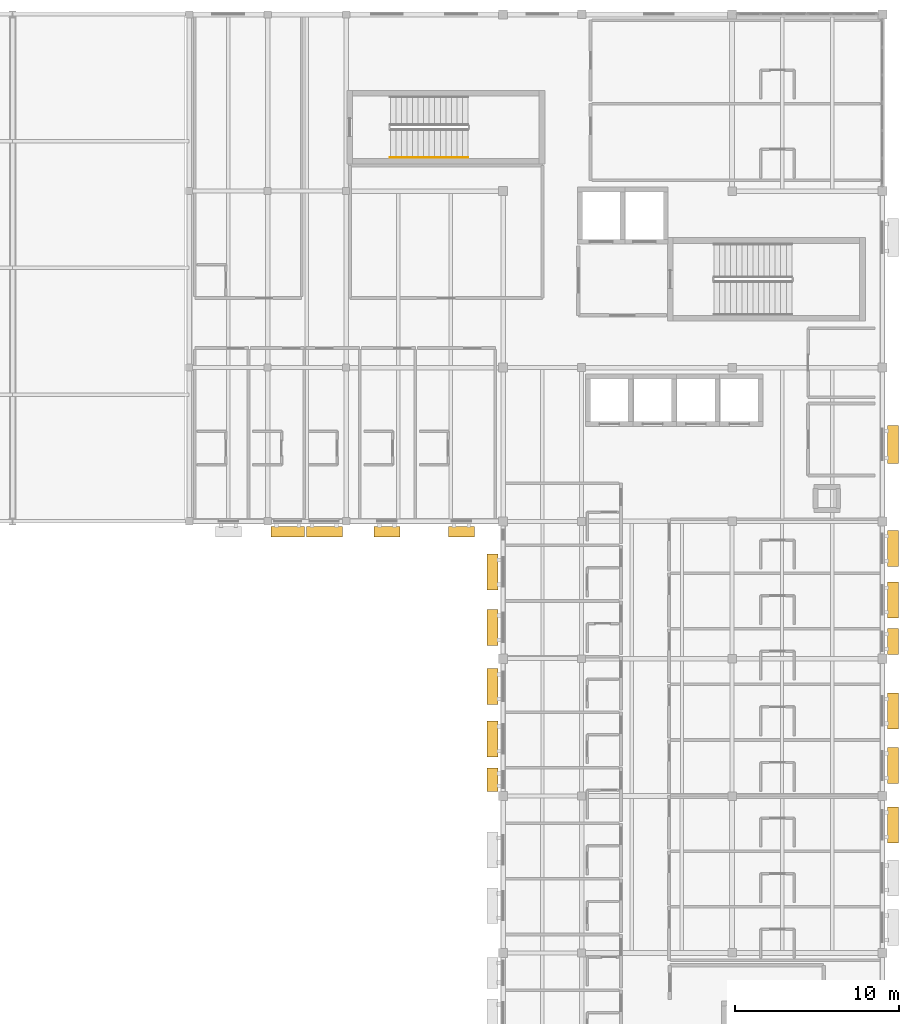
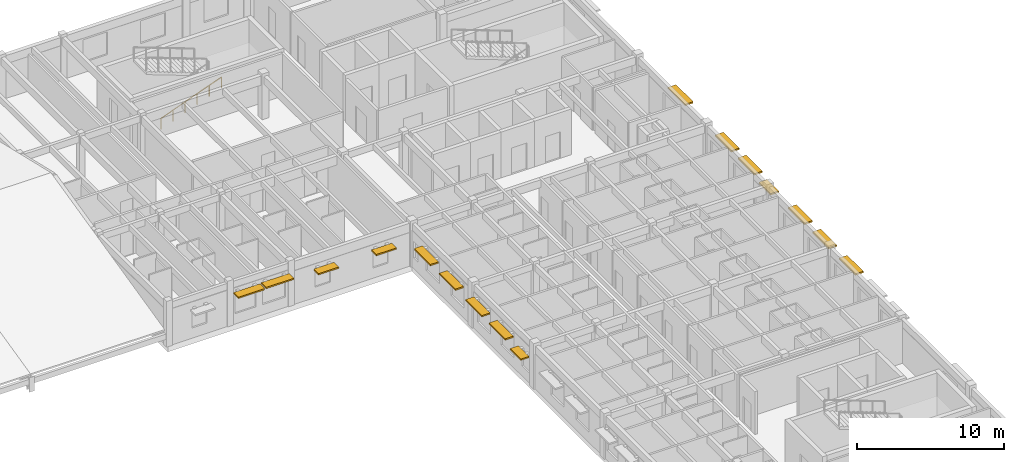
# One storey, part 39 of 40: 16 shading devices, 1 railing.
"""IFC4 building model written with IfcOpenShell, lengths in metres."""

from ifc_helpers import new_model, si_unit, direction, frame, origin, origin_2d, place, context, subcontext, project, spatial, rectangle, circle, extrude, material, type_object, element, save


model = new_model("IFC4")

# Units and contexts
model_context = context("Model", 3, precision=1e-05, world=origin(), true_north=direction((0.0, 1.0)))
body_context = subcontext(model_context, "Body", "Model", "MODEL_VIEW")
ifc_project = project(units=[si_unit("LENGTHUNIT", "METRE"), si_unit("AREAUNIT", "SQUARE_METRE"), si_unit("VOLUMEUNIT", "CUBIC_METRE"), si_unit("PLANEANGLEUNIT", "RADIAN"), si_unit("MASSUNIT", "GRAM", prefix="KILO")], contexts=[model_context])

# Site, building, storey
site_placement = place(None, origin())
site = spatial("IfcSite", under=ifc_project, at=site_placement, CompositionType="ELEMENT")
building_placement = place(site_placement, origin())
building = spatial("IfcBuilding", under=site, at=building_placement, Name="Veldera Park Congress Hotel", CompositionType="ELEMENT")
storey_placement = place(building_placement, frame((0.0, 0.0, 16.199951171875)))
storey = spatial("IfcBuildingStorey", under=building, at=storey_placement, Name="L03", CompositionType="ELEMENT", Elevation=16.199951171875)

# Railing
ifc_material_1 = material(Name="Steel ASTM A992 Gr.50", Category="steel")
railing_type = type_object("IfcRailingType", Name="HRL-920", PredefinedType="HANDRAIL", material=ifc_material_1)
railing_placement = place(storey_placement, frame((53.89990234375, 49.25, 0.126708984375)))
element("IfcRailing", 1, at=railing_placement, inside=storey, type_object=railing_type, Name="L03 ST3 stair handrail 1", PredefinedType="HANDRAIL", context=body_context, shape_type="SweptSolid", body=[
    extrude(circle(Radius=0.02392578125, at=origin_2d()), frame((0.0, 0.0, 0.89599609375), z_axis=(0.937075640343, 0.0, 0.349126401572), x_axis=(0.0, 1.0, 0.0)), (0.0, 0.0, 1.0), 5.07958984375),
    extrude(circle(Radius=0.02099609375, at=origin_2d()), origin(), (0.0, 0.0, 1.0), 0.871826171875),
    extrude(circle(Radius=0.02099609375, at=origin_2d()), frame((0.951904296875, 0.0, 0.354736328125)), (0.0, 0.0, 1.0), 0.871826171875),
    extrude(circle(Radius=0.02099609375, at=origin_2d()), frame((1.904052734375, 0.0, 0.70947265625)), (0.0, 0.0, 1.0), 0.871826171875),
    extrude(circle(Radius=0.02099609375, at=origin_2d()), frame((2.85595703125, 0.0, 1.06396484375)), (0.0, 0.0, 1.0), 0.871826171875),
    extrude(circle(Radius=0.02099609375, at=origin_2d()), frame((3.80810546875, 0.0, 1.418701171875)), (0.0, 0.0, 1.0), 0.871826171875),
    extrude(circle(Radius=0.02099609375, at=origin_2d()), frame((4.760009765625, 0.0, 1.7734375)), (0.0, 0.0, 1.0), 0.871826171875),
])

# Shading devices
ifc_material_2 = material(Name="Glulam GL28h (NDS 24F-V4)", Category="wood")
shading_device_type = type_object("IfcShadingDeviceType", Name="SHD-LVR300", PredefinedType="JALOUSIE", material=ifc_material_2)
shading_device_1_placement = place(storey_placement, frame((84.64501953125, 31.699951171875, 2.77001953125), z_axis=(0.0, 0.0, 1.0), x_axis=(0.0, 1.0, 0.0)))
element("IfcShadingDevice", 2, at=shading_device_1_placement, inside=storey, type_object=shading_device_type, Name="Glulam Solar Shade 136", PredefinedType="JALOUSIE", context=body_context, shape_type="SweptSolid", body=[
    extrude(rectangle(XDim=2.35009765625, YDim=0.64990234375, at=origin_2d()), origin(), (0.0, 0.0, 1.0), 0.1201171875),
])
for number, where, z_axis, x_axis, name in (
    (3, (53.69775390625, 26.35498046875, 2.419921875), (0.0, 0.0, 1.0), (1.0, 0.0, 0.0), "Glulam Solar Shade 139"),
    (4, (58.247314453125, 26.35498046875, 2.419921875), (0.0, 0.0, 1.0), (1.0, 0.0, 0.0), "Glulam Solar Shade 140"),
):
    element("IfcShadingDevice", number, at=place(storey_placement, frame(where, z_axis=z_axis, x_axis=x_axis)), inside=storey, type_object=shading_device_type, Name=name, PredefinedType="JALOUSIE", context=body_context, shape_type="SweptSolid", body=[
        extrude(rectangle(XDim=1.60009765625, YDim=0.64990234375, at=origin_2d()), origin(), (0.0, 0.0, 1.0), 0.1201171875),
    ])
shading_device_2_placement = place(storey_placement, frame((60.155029296875, 11.2041015625, 2.320068359375), z_axis=(0.0, 0.0, 1.0), x_axis=(0.0, -1.0, 0.0)))
element("IfcShadingDevice", 5, at=shading_device_2_placement, inside=storey, type_object=shading_device_type, Name="Glulam Solar Shade 333", PredefinedType="JALOUSIE", context=body_context, shape_type="SweptSolid", body=[
    extrude(rectangle(XDim=1.449951171875, YDim=0.64990234375, at=origin_2d()), origin(), (0.0, 0.0, 1.0), 0.1201171875),
])
for number, where, z_axis, x_axis, name in (
    (6, (60.155029296875, 13.68994140625, 2.719970703125), (0.0, 0.0, 1.0), (0.0, -1.0, 0.0), "Glulam Solar Shade 334"),
    (7, (60.155029296875, 16.885986328125, 2.719970703125), (0.0, 0.0, 1.0), (0.0, -1.0, 0.0), "Glulam Solar Shade 335"),
    (8, (60.155029296875, 20.50390625, 2.719970703125), (0.0, 0.0, 1.0), (0.0, -1.0, 0.0), "Glulam Solar Shade 336"),
    (9, (60.155029296875, 23.889892578125, 2.719970703125), (0.0, 0.0, 1.0), (0.0, -1.0, 0.0), "Glulam Solar Shade 337"),
    (10, (84.64501953125, 8.43603515625, 2.719970703125), (0.0, 0.0, 1.0), (0.0, 1.0, 0.0), "Glulam Solar Shade 350"),
    (11, (84.64501953125, 12.053955078125, 2.719970703125), (0.0, 0.0, 1.0), (0.0, 1.0, 0.0), "Glulam Solar Shade 351"),
    (12, (84.64501953125, 15.389892578125, 2.719970703125), (0.0, 0.0, 1.0), (0.0, 1.0, 0.0), "Glulam Solar Shade 352"),
):
    element("IfcShadingDevice", number, at=place(storey_placement, frame(where, z_axis=z_axis, x_axis=x_axis)), inside=storey, type_object=shading_device_type, Name=name, PredefinedType="JALOUSIE", context=body_context, shape_type="SweptSolid", body=[
        extrude(rectangle(XDim=2.199951171875, YDim=0.64990234375, at=origin_2d()), origin(), (0.0, 0.0, 1.0), 0.1201171875),
    ])
shading_device_3_placement = place(storey_placement, frame((84.64501953125, 19.654052734375, 2.419921875), z_axis=(0.0, 0.0, 1.0), x_axis=(0.0, 1.0, 0.0)))
element("IfcShadingDevice", 13, at=shading_device_3_placement, inside=storey, type_object=shading_device_type, Name="Glulam Solar Shade 353", PredefinedType="JALOUSIE", context=body_context, shape_type="SweptSolid", body=[
    extrude(rectangle(XDim=1.60009765625, YDim=0.64990234375, at=origin_2d()), origin(), (0.0, 0.0, 1.0), 0.1201171875),
])
for number, where, z_axis, x_axis, name in (
    (14, (84.64501953125, 22.18994140625, 2.719970703125), (0.0, 0.0, 1.0), (0.0, 1.0, 0.0), "Glulam Solar Shade 354"),
    (15, (84.64501953125, 25.3359375, 2.719970703125), (0.0, 0.0, 1.0), (0.0, 1.0, 0.0), "Glulam Solar Shade 355"),
):
    element("IfcShadingDevice", number, at=place(storey_placement, frame(where, z_axis=z_axis, x_axis=x_axis)), inside=storey, type_object=shading_device_type, Name=name, PredefinedType="JALOUSIE", context=body_context, shape_type="SweptSolid", body=[
        extrude(rectangle(XDim=2.199951171875, YDim=0.64990234375, at=origin_2d()), origin(), (0.0, 0.0, 1.0), 0.1201171875),
    ])
shading_device_4_placement = place(storey_placement, frame((47.62646484375, 26.35498046875, 2.669921875), z_axis=(0.0, 0.0, 1.0), x_axis=(1.0, 0.0, 0.0)))
element("IfcShadingDevice", 16, at=shading_device_4_placement, inside=storey, type_object=shading_device_type, Name="Glulam Solar Shade 356", PredefinedType="JALOUSIE", context=body_context, shape_type="SweptSolid", body=[
    extrude(rectangle(XDim=2.050048828125, YDim=0.64990234375, at=origin_2d()), origin(), (0.0, 0.0, 1.0), 0.1201171875),
])
shading_device_5_placement = place(storey_placement, frame((49.863525390625, 26.35498046875, 2.719970703125), z_axis=(0.0, 0.0, 1.0), x_axis=(1.0, 0.0, 0.0)))
element("IfcShadingDevice", 17, at=shading_device_5_placement, inside=storey, type_object=shading_device_type, Name="Glulam Solar Shade 357", PredefinedType="JALOUSIE", context=body_context, shape_type="SweptSolid", body=[
    extrude(rectangle(XDim=2.199951171875, YDim=0.64990234375, at=origin_2d()), origin(), (0.0, 0.0, 1.0), 0.1201171875),
])

save(model, "model.ifc")
